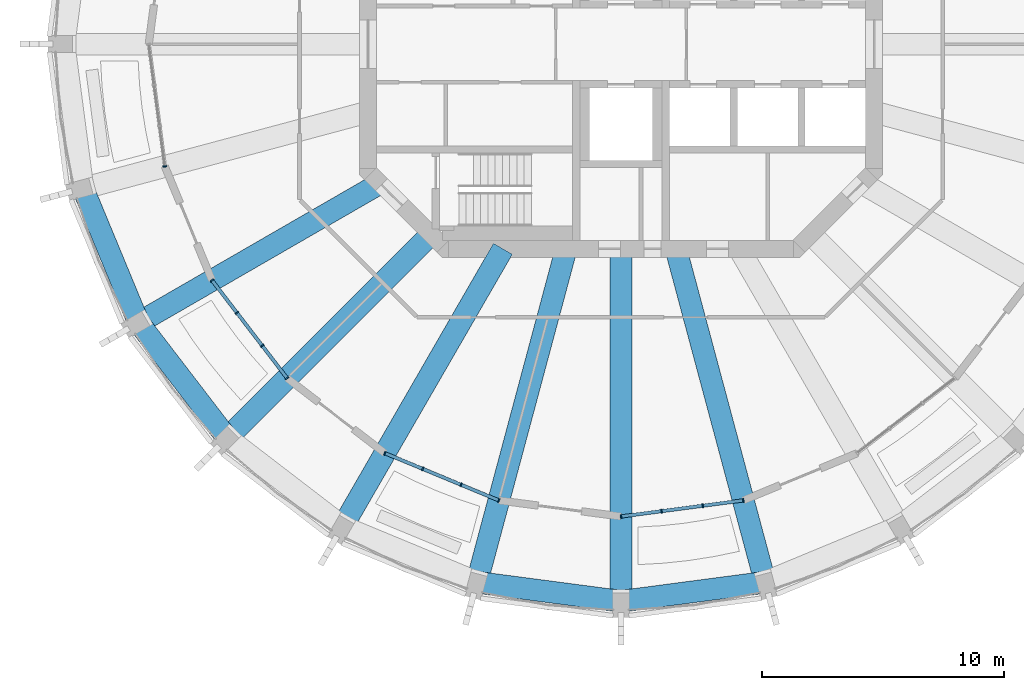
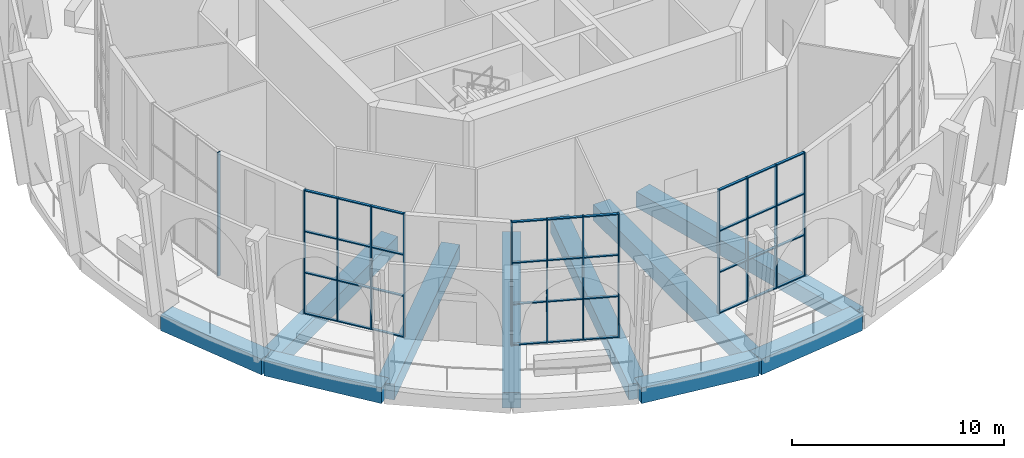
# One storey, part 2 of 16: 49 members, 10 beams, 4 elements without a shape of their own.
"""IFC4 building model written with IfcOpenShell, lengths in metres."""

from ifc_helpers import new_model, si_unit, direction, frame, origin, origin_2d, place, context, subcontext, project, spatial, rectangle, extrude, material, material_profile, profile_set, type_object, element, aggregate, save


model = new_model("IFC4")

# Units and contexts
model_context = context("Model", 3, precision=1e-05, world=origin(), true_north=direction((0.0, 1.0)))
body_context = subcontext(model_context, "Body", "Model", "MODEL_VIEW")
ifc_project = project(units=[si_unit("LENGTHUNIT", "METRE"), si_unit("AREAUNIT", "SQUARE_METRE"), si_unit("VOLUMEUNIT", "CUBIC_METRE"), si_unit("PLANEANGLEUNIT", "RADIAN"), si_unit("MASSUNIT", "GRAM", prefix="KILO")], contexts=[model_context])

# Site, building, storey
site_placement = place(None, origin())
site = spatial("IfcSite", under=ifc_project, at=site_placement, CompositionType="ELEMENT")
building_placement = place(site_placement, origin())
building = spatial("IfcBuilding", under=site, at=building_placement, Name="Torre Triforio", CompositionType="ELEMENT")
storey_placement = place(building_placement, frame((0.0, 0.0, 218.699951171875)))
storey = spatial("IfcBuildingStorey", under=building, at=storey_placement, Name="L50", CompositionType="ELEMENT", Elevation=218.699951171875)

# Curtain wall, member
ifc_material_1 = material(Name="Aluminium mullion and transom frame with clear laminated glass", Category="aluminium")
curtain_wall_type = type_object("IfcCurtainWallType", Name="Sky garden conservatory wall ECW3", PredefinedType="NOTDEFINED", material=ifc_material_1)
curtain_wall_1_placement = place(storey_placement, origin())
curtain_wall_1 = element("IfcCurtainWall", 1, at=curtain_wall_1_placement, inside=storey, type_object=curtain_wall_type, Name="Conservatory wall L50 bay 13", PredefinedType="NOTDEFINED")
ifc_material_2 = material(Name="Anodised aluminium extrusion", Category="aluminium")
ifc_material_profile_1 = material_profile(ifc_material_2, rectangle(XDim=0.159912109375, YDim=0.06005859375, at=origin_2d()), Name="ECW3 MULLION 60x160")
ifc_profile_set_1 = profile_set([ifc_material_profile_1], Name="Anodised aluminium extrusion")
member_type_1 = type_object("IfcMemberType", Name="ECW3 mullion 60 x 160", PredefinedType="MULLION", material=ifc_profile_set_1)
member_1_placement = place(storey_placement, frame((-18.83544921875, -5.046875, 0.0), z_axis=(0.0, 0.0, 1.0), x_axis=(0.991444115465, 0.130531857834, 0.0)))
member_1 = element("IfcMember", 2, at=member_1_placement, type_object=member_type_1, Name="ECW3 mullion 4", PredefinedType="MULLION", context=body_context, shape_type="SweptSolid", body=[
    extrude(rectangle(XDim=0.159912109375, YDim=0.06005859375, at=origin_2d()), origin(), (0.0, 0.0, 1.0), 7.1201171875),
])
aggregate(curtain_wall_1, [member_1])

# Curtain wall, members
curtain_wall_2_placement = place(storey_placement, origin())
curtain_wall_2 = element("IfcCurtainWall", 3, at=curtain_wall_2_placement, inside=storey, type_object=curtain_wall_type, Name="Conservatory wall L50 bay 15", PredefinedType="NOTDEFINED")
member_2_placement = place(storey_placement, frame((-16.887451171875, -9.75, 0.0), z_axis=(0.0, 0.0, 1.0), x_axis=(0.793348796067, 0.608767351111, 0.0)))
member_2 = element("IfcMember", 4, at=member_2_placement, type_object=member_type_1, Name="ECW3 mullion 1", PredefinedType="MULLION", context=body_context, shape_type="SweptSolid", body=[
    extrude(rectangle(XDim=0.159912109375, YDim=0.06005859375, at=origin_2d()), origin(), (0.0, 0.0, 1.0), 7.1201171875),
])
member_3_placement = place(storey_placement, frame((-15.860595703125, -11.08837890625, 0.0), z_axis=(0.0, 0.0, 1.0), x_axis=(0.793348796067, 0.608767351111, 0.0)))
member_3 = element("IfcMember", 5, at=member_3_placement, type_object=member_type_1, Name="ECW3 mullion 2", PredefinedType="MULLION", context=body_context, shape_type="SweptSolid", body=[
    extrude(rectangle(XDim=0.159912109375, YDim=0.06005859375, at=origin_2d()), origin(), (0.0, 0.0, 1.0), 7.1201171875),
])
member_4_placement = place(storey_placement, frame((-14.8154296875, -12.450439453125, 0.0), z_axis=(0.0, 0.0, 1.0), x_axis=(0.793348796067, 0.608767351111, 0.0)))
member_4 = element("IfcMember", 6, at=member_4_placement, type_object=member_type_1, Name="ECW3 mullion 3", PredefinedType="MULLION", context=body_context, shape_type="SweptSolid", body=[
    extrude(rectangle(XDim=0.159912109375, YDim=0.06005859375, at=origin_2d()), origin(), (0.0, 0.0, 1.0), 7.1201171875),
])
member_5_placement = place(storey_placement, frame((-13.78857421875, -13.78857421875, 0.0), z_axis=(0.0, 0.0, 1.0), x_axis=(0.793348796067, 0.608767351111, 0.0)))
member_5 = element("IfcMember", 7, at=member_5_placement, type_object=member_type_1, Name="ECW3 mullion 4", PredefinedType="MULLION", context=body_context, shape_type="SweptSolid", body=[
    extrude(rectangle(XDim=0.159912109375, YDim=0.06005859375, at=origin_2d()), origin(), (0.0, 0.0, 1.0), 7.1201171875),
])

curtain_wall_3_placement = place(storey_placement, origin())
curtain_wall_3 = element("IfcCurtainWall", 8, at=curtain_wall_3_placement, inside=storey, type_object=curtain_wall_type, Name="Conservatory wall L50 bay 17", PredefinedType="NOTDEFINED")
member_6_placement = place(storey_placement, frame((-9.75, -16.887451171875, 0.0), z_axis=(0.0, 0.0, 1.0), x_axis=(0.382684457334, 0.923879107955, 0.0)))
member_6 = element("IfcMember", 9, at=member_6_placement, type_object=member_type_1, Name="ECW3 mullion 1", PredefinedType="MULLION", context=body_context, shape_type="SweptSolid", body=[
    extrude(rectangle(XDim=0.159912109375, YDim=0.06005859375, at=origin_2d()), origin(), (0.0, 0.0, 1.0), 7.1201171875),
])
member_7_placement = place(storey_placement, frame((-8.191650390625, -17.532958984375, 0.0), z_axis=(0.0, 0.0, 1.0), x_axis=(0.382684457334, 0.923879107955, 0.0)))
member_7 = element("IfcMember", 10, at=member_7_placement, type_object=member_type_1, Name="ECW3 mullion 2", PredefinedType="MULLION", context=body_context, shape_type="SweptSolid", body=[
    extrude(rectangle(XDim=0.159912109375, YDim=0.06005859375, at=origin_2d()), origin(), (0.0, 0.0, 1.0), 7.1201171875),
])
member_8_placement = place(storey_placement, frame((-6.60546875, -18.18994140625, 0.0), z_axis=(0.0, 0.0, 1.0), x_axis=(0.382684457334, 0.923879107955, 0.0)))
member_8 = element("IfcMember", 11, at=member_8_placement, type_object=member_type_1, Name="ECW3 mullion 3", PredefinedType="MULLION", context=body_context, shape_type="SweptSolid", body=[
    extrude(rectangle(XDim=0.159912109375, YDim=0.06005859375, at=origin_2d()), origin(), (0.0, 0.0, 1.0), 7.1201171875),
])
member_9_placement = place(storey_placement, frame((-5.047119140625, -18.83544921875, 0.0), z_axis=(0.0, 0.0, 1.0), x_axis=(0.382684457334, 0.923879107955, 0.0)))
member_9 = element("IfcMember", 12, at=member_9_placement, type_object=member_type_1, Name="ECW3 mullion 4", PredefinedType="MULLION", context=body_context, shape_type="SweptSolid", body=[
    extrude(rectangle(XDim=0.159912109375, YDim=0.06005859375, at=origin_2d()), origin(), (0.0, 0.0, 1.0), 7.1201171875),
])

curtain_wall_4_placement = place(storey_placement, origin())
curtain_wall_4 = element("IfcCurtainWall", 13, at=curtain_wall_4_placement, inside=storey, type_object=curtain_wall_type, Name="Conservatory wall L50 bay 19", PredefinedType="NOTDEFINED")
member_10_placement = place(storey_placement, frame((0.0, -19.5, 0.0), z_axis=(0.0, 0.0, 1.0), x_axis=(-0.130531857834, 0.991444115465, 0.0)))
member_10 = element("IfcMember", 14, at=member_10_placement, type_object=member_type_1, Name="ECW3 mullion 1", PredefinedType="MULLION", context=body_context, shape_type="SweptSolid", body=[
    extrude(rectangle(XDim=0.159912109375, YDim=0.06005859375, at=origin_2d()), origin(), (0.0, 0.0, 1.0), 7.1201171875),
])
member_11_placement = place(storey_placement, frame((1.67236328125, -19.27978515625, 0.0), z_axis=(0.0, 0.0, 1.0), x_axis=(-0.130531857834, 0.991444115465, 0.0)))
member_11 = element("IfcMember", 15, at=member_11_placement, type_object=member_type_1, Name="ECW3 mullion 2", PredefinedType="MULLION", context=body_context, shape_type="SweptSolid", body=[
    extrude(rectangle(XDim=0.159912109375, YDim=0.06005859375, at=origin_2d()), origin(), (0.0, 0.0, 1.0), 7.1201171875),
])
member_12_placement = place(storey_placement, frame((3.37451171875, -19.0556640625, 0.0), z_axis=(0.0, 0.0, 1.0), x_axis=(-0.130531857834, 0.991444115465, 0.0)))
member_12 = element("IfcMember", 16, at=member_12_placement, type_object=member_type_1, Name="ECW3 mullion 3", PredefinedType="MULLION", context=body_context, shape_type="SweptSolid", body=[
    extrude(rectangle(XDim=0.159912109375, YDim=0.06005859375, at=origin_2d()), origin(), (0.0, 0.0, 1.0), 7.1201171875),
])
member_13_placement = place(storey_placement, frame((5.046875, -18.83544921875, 0.0), z_axis=(0.0, 0.0, 1.0), x_axis=(-0.130531857834, 0.991444115465, 0.0)))
member_13 = element("IfcMember", 17, at=member_13_placement, type_object=member_type_1, Name="ECW3 mullion 4", PredefinedType="MULLION", context=body_context, shape_type="SweptSolid", body=[
    extrude(rectangle(XDim=0.159912109375, YDim=0.06005859375, at=origin_2d()), origin(), (0.0, 0.0, 1.0), 7.1201171875),
])

# Member
ifc_material_profile_2 = material_profile(ifc_material_2, rectangle(XDim=0.139892578125, YDim=0.06005859375, at=origin_2d()), Name="ECW3 TRANSOM 60x140")
ifc_profile_set_2 = profile_set([ifc_material_profile_2], Name="Anodised aluminium extrusion")
member_type_2 = type_object("IfcMemberType", Name="ECW3 transom 60 x 140", PredefinedType="USERDEFINED", material=ifc_profile_set_2)
member_14_placement = place(storey_placement, frame((-16.869384765625, -9.773681640625, 0.030029296875), z_axis=(0.608774860562, -0.793343033717, 0.0), x_axis=(0.793343033717, 0.608774860562, 0.0)))
member_14 = element("IfcMember", 18, at=member_14_placement, type_object=member_type_2, Name="ECW3 transom 1.1", ObjectType="TRANSOM", PredefinedType="USERDEFINED", context=body_context, shape_type="SweptSolid", body=[
    extrude(rectangle(XDim=0.139892578125, YDim=0.06005859375, at=origin_2d()), origin(), (0.0, 0.0, 1.0), 1.626953125),
])

member_15_placement = place(storey_placement, frame((-16.869384765625, -9.773681640625, 2.373291015625), z_axis=(0.608774860562, -0.793343033717, 0.0), x_axis=(0.793343033717, 0.608774860562, 0.0)))
member_15 = element("IfcMember", 19, at=member_15_placement, type_object=member_type_2, Name="ECW3 transom 1.2", ObjectType="TRANSOM", PredefinedType="USERDEFINED", context=body_context, shape_type="SweptSolid", body=[
    extrude(rectangle(XDim=0.139892578125, YDim=0.06005859375, at=origin_2d()), origin(), (0.0, 0.0, 1.0), 1.626953125),
])

member_16_placement = place(storey_placement, frame((-16.869384765625, -9.773681640625, 4.746826171875), z_axis=(0.608774860562, -0.793343033717, 0.0), x_axis=(0.793343033717, 0.608774860562, 0.0)))
member_16 = element("IfcMember", 20, at=member_16_placement, type_object=member_type_2, Name="ECW3 transom 1.3", ObjectType="TRANSOM", PredefinedType="USERDEFINED", context=body_context, shape_type="SweptSolid", body=[
    extrude(rectangle(XDim=0.139892578125, YDim=0.06005859375, at=origin_2d()), origin(), (0.0, 0.0, 1.0), 1.626953125),
])

member_17_placement = place(storey_placement, frame((-16.869384765625, -9.773681640625, 7.090087890625), z_axis=(0.608774860562, -0.793343033717, 0.0), x_axis=(0.793343033717, 0.608774860562, 0.0)))
member_17 = element("IfcMember", 21, at=member_17_placement, type_object=member_type_2, Name="ECW3 transom 1.4", ObjectType="TRANSOM", PredefinedType="USERDEFINED", context=body_context, shape_type="SweptSolid", body=[
    extrude(rectangle(XDim=0.139892578125, YDim=0.06005859375, at=origin_2d()), origin(), (0.0, 0.0, 1.0), 1.626953125),
])

member_18_placement = place(storey_placement, frame((-15.84228515625, -11.112060546875, 0.030029296875), z_axis=(0.608734670462, -0.793373872129, 0.0), x_axis=(0.793373872129, 0.608734670462, 0.0)))
member_18 = element("IfcMember", 22, at=member_18_placement, type_object=member_type_2, Name="ECW3 transom 2.1", ObjectType="TRANSOM", PredefinedType="USERDEFINED", context=body_context, shape_type="SweptSolid", body=[
    extrude(rectangle(XDim=0.139892578125, YDim=0.06005859375, at=origin_2d()), origin(), (0.0, 0.0, 1.0), 1.65673828125),
])

member_19_placement = place(storey_placement, frame((-15.84228515625, -11.112060546875, 2.373291015625), z_axis=(0.608734670462, -0.793373872129, 0.0), x_axis=(0.793373872129, 0.608734670462, 0.0)))
member_19 = element("IfcMember", 23, at=member_19_placement, type_object=member_type_2, Name="ECW3 transom 2.2", ObjectType="TRANSOM", PredefinedType="USERDEFINED", context=body_context, shape_type="SweptSolid", body=[
    extrude(rectangle(XDim=0.139892578125, YDim=0.06005859375, at=origin_2d()), origin(), (0.0, 0.0, 1.0), 1.65673828125),
])

member_20_placement = place(storey_placement, frame((-15.84228515625, -11.112060546875, 4.746826171875), z_axis=(0.608734670462, -0.793373872129, 0.0), x_axis=(0.793373872129, 0.608734670462, 0.0)))
member_20 = element("IfcMember", 24, at=member_20_placement, type_object=member_type_2, Name="ECW3 transom 2.3", ObjectType="TRANSOM", PredefinedType="USERDEFINED", context=body_context, shape_type="SweptSolid", body=[
    extrude(rectangle(XDim=0.139892578125, YDim=0.06005859375, at=origin_2d()), origin(), (0.0, 0.0, 1.0), 1.65673828125),
])

member_21_placement = place(storey_placement, frame((-15.84228515625, -11.112060546875, 7.090087890625), z_axis=(0.608734670462, -0.793373872129, 0.0), x_axis=(0.793373872129, 0.608734670462, 0.0)))
member_21 = element("IfcMember", 25, at=member_21_placement, type_object=member_type_2, Name="ECW3 transom 2.4", ObjectType="TRANSOM", PredefinedType="USERDEFINED", context=body_context, shape_type="SweptSolid", body=[
    extrude(rectangle(XDim=0.139892578125, YDim=0.06005859375, at=origin_2d()), origin(), (0.0, 0.0, 1.0), 1.65673828125),
])

member_22_placement = place(storey_placement, frame((-14.797119140625, -12.47412109375, 0.030029296875), z_axis=(0.60868040376, -0.793415506578, 0.0), x_axis=(0.793415506578, 0.60868040376, 0.0)))
member_22 = element("IfcMember", 26, at=member_22_placement, type_object=member_type_2, Name="ECW3 transom 3.1", ObjectType="TRANSOM", PredefinedType="USERDEFINED", context=body_context, shape_type="SweptSolid", body=[
    extrude(rectangle(XDim=0.139892578125, YDim=0.06005859375, at=origin_2d()), origin(), (0.0, 0.0, 1.0), 1.626953125),
])

member_23_placement = place(storey_placement, frame((-14.797119140625, -12.47412109375, 2.373291015625), z_axis=(0.60868040376, -0.793415506578, 0.0), x_axis=(0.793415506578, 0.60868040376, 0.0)))
member_23 = element("IfcMember", 27, at=member_23_placement, type_object=member_type_2, Name="ECW3 transom 3.2", ObjectType="TRANSOM", PredefinedType="USERDEFINED", context=body_context, shape_type="SweptSolid", body=[
    extrude(rectangle(XDim=0.139892578125, YDim=0.06005859375, at=origin_2d()), origin(), (0.0, 0.0, 1.0), 1.626953125),
])

member_24_placement = place(storey_placement, frame((-14.797119140625, -12.47412109375, 4.746826171875), z_axis=(0.60868040376, -0.793415506578, 0.0), x_axis=(0.793415506578, 0.60868040376, 0.0)))
member_24 = element("IfcMember", 28, at=member_24_placement, type_object=member_type_2, Name="ECW3 transom 3.3", ObjectType="TRANSOM", PredefinedType="USERDEFINED", context=body_context, shape_type="SweptSolid", body=[
    extrude(rectangle(XDim=0.139892578125, YDim=0.06005859375, at=origin_2d()), origin(), (0.0, 0.0, 1.0), 1.626953125),
])

member_25_placement = place(storey_placement, frame((-14.797119140625, -12.47412109375, 7.090087890625), z_axis=(0.60868040376, -0.793415506578, 0.0), x_axis=(0.793415506578, 0.60868040376, 0.0)))
member_25 = element("IfcMember", 29, at=member_25_placement, type_object=member_type_2, Name="ECW3 transom 3.4", ObjectType="TRANSOM", PredefinedType="USERDEFINED", context=body_context, shape_type="SweptSolid", body=[
    extrude(rectangle(XDim=0.139892578125, YDim=0.06005859375, at=origin_2d()), origin(), (0.0, 0.0, 1.0), 1.626953125),
])

aggregate(curtain_wall_2, [member_2, member_3, member_4, member_5, member_14, member_15, member_16, member_17, member_18, member_19, member_20, member_21, member_22, member_23, member_24, member_25])

member_26_placement = place(storey_placement, frame((-9.72216796875, -16.89892578125, 0.030029296875), z_axis=(0.923874156886, -0.382696410016, 0.0), x_axis=(0.382696410016, 0.923874156886, 0.0)))
member_26 = element("IfcMember", 30, at=member_26_placement, type_object=member_type_2, Name="ECW3 transom 1.1", ObjectType="TRANSOM", PredefinedType="USERDEFINED", context=body_context, shape_type="SweptSolid", body=[
    extrude(rectangle(XDim=0.139892578125, YDim=0.06005859375, at=origin_2d()), origin(), (0.0, 0.0, 1.0), 1.626708984375),
])

member_27_placement = place(storey_placement, frame((-9.72216796875, -16.89892578125, 2.373291015625), z_axis=(0.923874156886, -0.382696410016, 0.0), x_axis=(0.382696410016, 0.923874156886, 0.0)))
member_27 = element("IfcMember", 31, at=member_27_placement, type_object=member_type_2, Name="ECW3 transom 1.2", ObjectType="TRANSOM", PredefinedType="USERDEFINED", context=body_context, shape_type="SweptSolid", body=[
    extrude(rectangle(XDim=0.139892578125, YDim=0.06005859375, at=origin_2d()), origin(), (0.0, 0.0, 1.0), 1.626708984375),
])

member_28_placement = place(storey_placement, frame((-9.72216796875, -16.89892578125, 4.746826171875), z_axis=(0.923874156886, -0.382696410016, 0.0), x_axis=(0.382696410016, 0.923874156886, 0.0)))
member_28 = element("IfcMember", 32, at=member_28_placement, type_object=member_type_2, Name="ECW3 transom 1.3", ObjectType="TRANSOM", PredefinedType="USERDEFINED", context=body_context, shape_type="SweptSolid", body=[
    extrude(rectangle(XDim=0.139892578125, YDim=0.06005859375, at=origin_2d()), origin(), (0.0, 0.0, 1.0), 1.626708984375),
])

member_29_placement = place(storey_placement, frame((-9.72216796875, -16.89892578125, 7.090087890625), z_axis=(0.923874156886, -0.382696410016, 0.0), x_axis=(0.382696410016, 0.923874156886, 0.0)))
member_29 = element("IfcMember", 33, at=member_29_placement, type_object=member_type_2, Name="ECW3 transom 1.4", ObjectType="TRANSOM", PredefinedType="USERDEFINED", context=body_context, shape_type="SweptSolid", body=[
    extrude(rectangle(XDim=0.139892578125, YDim=0.06005859375, at=origin_2d()), origin(), (0.0, 0.0, 1.0), 1.626708984375),
])

member_30_placement = place(storey_placement, frame((-8.163818359375, -17.54443359375, 0.030029296875), z_axis=(0.923885733713, -0.382668460997, 0.0), x_axis=(0.382668460997, 0.923885733713, 0.0)))
member_30 = element("IfcMember", 34, at=member_30_placement, type_object=member_type_2, Name="ECW3 transom 2.1", ObjectType="TRANSOM", PredefinedType="USERDEFINED", context=body_context, shape_type="SweptSolid", body=[
    extrude(rectangle(XDim=0.139892578125, YDim=0.06005859375, at=origin_2d()), origin(), (0.0, 0.0, 1.0), 1.656982421875),
])

member_31_placement = place(storey_placement, frame((-8.163818359375, -17.54443359375, 2.373291015625), z_axis=(0.923885733713, -0.382668460997, 0.0), x_axis=(0.382668460997, 0.923885733713, 0.0)))
member_31 = element("IfcMember", 35, at=member_31_placement, type_object=member_type_2, Name="ECW3 transom 2.2", ObjectType="TRANSOM", PredefinedType="USERDEFINED", context=body_context, shape_type="SweptSolid", body=[
    extrude(rectangle(XDim=0.139892578125, YDim=0.06005859375, at=origin_2d()), origin(), (0.0, 0.0, 1.0), 1.656982421875),
])

member_32_placement = place(storey_placement, frame((-8.163818359375, -17.54443359375, 4.746826171875), z_axis=(0.923885733713, -0.382668460997, 0.0), x_axis=(0.382668460997, 0.923885733713, 0.0)))
member_32 = element("IfcMember", 36, at=member_32_placement, type_object=member_type_2, Name="ECW3 transom 2.3", ObjectType="TRANSOM", PredefinedType="USERDEFINED", context=body_context, shape_type="SweptSolid", body=[
    extrude(rectangle(XDim=0.139892578125, YDim=0.06005859375, at=origin_2d()), origin(), (0.0, 0.0, 1.0), 1.656982421875),
])

member_33_placement = place(storey_placement, frame((-8.163818359375, -17.54443359375, 7.090087890625), z_axis=(0.923885733713, -0.382668460997, 0.0), x_axis=(0.382668460997, 0.923885733713, 0.0)))
member_33 = element("IfcMember", 37, at=member_33_placement, type_object=member_type_2, Name="ECW3 transom 2.4", ObjectType="TRANSOM", PredefinedType="USERDEFINED", context=body_context, shape_type="SweptSolid", body=[
    extrude(rectangle(XDim=0.139892578125, YDim=0.06005859375, at=origin_2d()), origin(), (0.0, 0.0, 1.0), 1.656982421875),
])

member_34_placement = place(storey_placement, frame((-6.57763671875, -18.201416015625, 0.030029296875), z_axis=(0.923874156886, -0.382696410016, 0.0), x_axis=(0.382696410016, 0.923874156886, 0.0)))
member_34 = element("IfcMember", 38, at=member_34_placement, type_object=member_type_2, Name="ECW3 transom 3.1", ObjectType="TRANSOM", PredefinedType="USERDEFINED", context=body_context, shape_type="SweptSolid", body=[
    extrude(rectangle(XDim=0.139892578125, YDim=0.06005859375, at=origin_2d()), origin(), (0.0, 0.0, 1.0), 1.626708984375),
])

member_35_placement = place(storey_placement, frame((-6.57763671875, -18.201416015625, 2.373291015625), z_axis=(0.923874156886, -0.382696410016, 0.0), x_axis=(0.382696410016, 0.923874156886, 0.0)))
member_35 = element("IfcMember", 39, at=member_35_placement, type_object=member_type_2, Name="ECW3 transom 3.2", ObjectType="TRANSOM", PredefinedType="USERDEFINED", context=body_context, shape_type="SweptSolid", body=[
    extrude(rectangle(XDim=0.139892578125, YDim=0.06005859375, at=origin_2d()), origin(), (0.0, 0.0, 1.0), 1.626708984375),
])

member_36_placement = place(storey_placement, frame((-6.57763671875, -18.201416015625, 4.746826171875), z_axis=(0.923874156886, -0.382696410016, 0.0), x_axis=(0.382696410016, 0.923874156886, 0.0)))
member_36 = element("IfcMember", 40, at=member_36_placement, type_object=member_type_2, Name="ECW3 transom 3.3", ObjectType="TRANSOM", PredefinedType="USERDEFINED", context=body_context, shape_type="SweptSolid", body=[
    extrude(rectangle(XDim=0.139892578125, YDim=0.06005859375, at=origin_2d()), origin(), (0.0, 0.0, 1.0), 1.626708984375),
])

member_37_placement = place(storey_placement, frame((-6.57763671875, -18.201416015625, 7.090087890625), z_axis=(0.923874156886, -0.382696410016, 0.0), x_axis=(0.382696410016, 0.923874156886, 0.0)))
member_37 = element("IfcMember", 41, at=member_37_placement, type_object=member_type_2, Name="ECW3 transom 3.4", ObjectType="TRANSOM", PredefinedType="USERDEFINED", context=body_context, shape_type="SweptSolid", body=[
    extrude(rectangle(XDim=0.139892578125, YDim=0.06005859375, at=origin_2d()), origin(), (0.0, 0.0, 1.0), 1.626708984375),
])

aggregate(curtain_wall_3, [member_6, member_7, member_8, member_9, member_26, member_27, member_28, member_29, member_30, member_31, member_32, member_33, member_34, member_35, member_36, member_37])

member_38_placement = place(storey_placement, frame((0.02978515625, -19.49609375, 0.030029296875), z_axis=(0.991438963829, 0.130570980704, 0.0), x_axis=(-0.130570980704, 0.991438963829, 0.0)))
member_38 = element("IfcMember", 42, at=member_38_placement, type_object=member_type_2, Name="ECW3 transom 1.1", ObjectType="TRANSOM", PredefinedType="USERDEFINED", context=body_context, shape_type="SweptSolid", body=[
    extrude(rectangle(XDim=0.139892578125, YDim=0.06005859375, at=origin_2d()), origin(), (0.0, 0.0, 1.0), 1.626708984375),
])

member_39_placement = place(storey_placement, frame((0.02978515625, -19.49609375, 2.373291015625), z_axis=(0.991438963829, 0.130570980704, 0.0), x_axis=(-0.130570980704, 0.991438963829, 0.0)))
member_39 = element("IfcMember", 43, at=member_39_placement, type_object=member_type_2, Name="ECW3 transom 1.2", ObjectType="TRANSOM", PredefinedType="USERDEFINED", context=body_context, shape_type="SweptSolid", body=[
    extrude(rectangle(XDim=0.139892578125, YDim=0.06005859375, at=origin_2d()), origin(), (0.0, 0.0, 1.0), 1.626708984375),
])

member_40_placement = place(storey_placement, frame((0.02978515625, -19.49609375, 4.746826171875), z_axis=(0.991438963829, 0.130570980704, 0.0), x_axis=(-0.130570980704, 0.991438963829, 0.0)))
member_40 = element("IfcMember", 44, at=member_40_placement, type_object=member_type_2, Name="ECW3 transom 1.3", ObjectType="TRANSOM", PredefinedType="USERDEFINED", context=body_context, shape_type="SweptSolid", body=[
    extrude(rectangle(XDim=0.139892578125, YDim=0.06005859375, at=origin_2d()), origin(), (0.0, 0.0, 1.0), 1.626708984375),
])

member_41_placement = place(storey_placement, frame((0.02978515625, -19.49609375, 7.090087890625), z_axis=(0.991438963829, 0.130570980704, 0.0), x_axis=(-0.130570980704, 0.991438963829, 0.0)))
member_41 = element("IfcMember", 45, at=member_41_placement, type_object=member_type_2, Name="ECW3 transom 1.4", ObjectType="TRANSOM", PredefinedType="USERDEFINED", context=body_context, shape_type="SweptSolid", body=[
    extrude(rectangle(XDim=0.139892578125, YDim=0.06005859375, at=origin_2d()), origin(), (0.0, 0.0, 1.0), 1.626708984375),
])

member_42_placement = place(storey_placement, frame((1.7021484375, -19.27587890625, 0.030029296875), z_axis=(0.991440245927, 0.130561245228, 0.0), x_axis=(-0.130561245228, 0.991440245927, 0.0)))
member_42 = element("IfcMember", 46, at=member_42_placement, type_object=member_type_2, Name="ECW3 transom 2.1", ObjectType="TRANSOM", PredefinedType="USERDEFINED", context=body_context, shape_type="SweptSolid", body=[
    extrude(rectangle(XDim=0.139892578125, YDim=0.06005859375, at=origin_2d()), origin(), (0.0, 0.0, 1.0), 1.65673828125),
])

member_43_placement = place(storey_placement, frame((1.7021484375, -19.27587890625, 2.373291015625), z_axis=(0.991440245927, 0.130561245228, 0.0), x_axis=(-0.130561245228, 0.991440245927, 0.0)))
member_43 = element("IfcMember", 47, at=member_43_placement, type_object=member_type_2, Name="ECW3 transom 2.2", ObjectType="TRANSOM", PredefinedType="USERDEFINED", context=body_context, shape_type="SweptSolid", body=[
    extrude(rectangle(XDim=0.139892578125, YDim=0.06005859375, at=origin_2d()), origin(), (0.0, 0.0, 1.0), 1.65673828125),
])

member_44_placement = place(storey_placement, frame((1.7021484375, -19.27587890625, 4.746826171875), z_axis=(0.991440245927, 0.130561245228, 0.0), x_axis=(-0.130561245228, 0.991440245927, 0.0)))
member_44 = element("IfcMember", 48, at=member_44_placement, type_object=member_type_2, Name="ECW3 transom 2.3", ObjectType="TRANSOM", PredefinedType="USERDEFINED", context=body_context, shape_type="SweptSolid", body=[
    extrude(rectangle(XDim=0.139892578125, YDim=0.06005859375, at=origin_2d()), origin(), (0.0, 0.0, 1.0), 1.65673828125),
])

member_45_placement = place(storey_placement, frame((1.7021484375, -19.27587890625, 7.090087890625), z_axis=(0.991440245927, 0.130561245228, 0.0), x_axis=(-0.130561245228, 0.991440245927, 0.0)))
member_45 = element("IfcMember", 49, at=member_45_placement, type_object=member_type_2, Name="ECW3 transom 2.4", ObjectType="TRANSOM", PredefinedType="USERDEFINED", context=body_context, shape_type="SweptSolid", body=[
    extrude(rectangle(XDim=0.139892578125, YDim=0.06005859375, at=origin_2d()), origin(), (0.0, 0.0, 1.0), 1.65673828125),
])

member_46_placement = place(storey_placement, frame((3.404296875, -19.0517578125, 0.030029296875), z_axis=(0.991441521966, 0.130551555034, 0.0), x_axis=(-0.130551555034, 0.991441521966, 0.0)))
member_46 = element("IfcMember", 50, at=member_46_placement, type_object=member_type_2, Name="ECW3 transom 3.1", ObjectType="TRANSOM", PredefinedType="USERDEFINED", context=body_context, shape_type="SweptSolid", body=[
    extrude(rectangle(XDim=0.139892578125, YDim=0.06005859375, at=origin_2d()), origin(), (0.0, 0.0, 1.0), 1.626953125),
])

member_47_placement = place(storey_placement, frame((3.404296875, -19.0517578125, 2.373291015625), z_axis=(0.991441521966, 0.130551555034, 0.0), x_axis=(-0.130551555034, 0.991441521966, 0.0)))
member_47 = element("IfcMember", 51, at=member_47_placement, type_object=member_type_2, Name="ECW3 transom 3.2", ObjectType="TRANSOM", PredefinedType="USERDEFINED", context=body_context, shape_type="SweptSolid", body=[
    extrude(rectangle(XDim=0.139892578125, YDim=0.06005859375, at=origin_2d()), origin(), (0.0, 0.0, 1.0), 1.626953125),
])

member_48_placement = place(storey_placement, frame((3.404296875, -19.0517578125, 4.746826171875), z_axis=(0.991441521966, 0.130551555034, 0.0), x_axis=(-0.130551555034, 0.991441521966, 0.0)))
member_48 = element("IfcMember", 52, at=member_48_placement, type_object=member_type_2, Name="ECW3 transom 3.3", ObjectType="TRANSOM", PredefinedType="USERDEFINED", context=body_context, shape_type="SweptSolid", body=[
    extrude(rectangle(XDim=0.139892578125, YDim=0.06005859375, at=origin_2d()), origin(), (0.0, 0.0, 1.0), 1.626953125),
])

member_49_placement = place(storey_placement, frame((3.404296875, -19.0517578125, 7.090087890625), z_axis=(0.991441521966, 0.130551555034, 0.0), x_axis=(-0.130551555034, 0.991441521966, 0.0)))
member_49 = element("IfcMember", 53, at=member_49_placement, type_object=member_type_2, Name="ECW3 transom 3.4", ObjectType="TRANSOM", PredefinedType="USERDEFINED", context=body_context, shape_type="SweptSolid", body=[
    extrude(rectangle(XDim=0.139892578125, YDim=0.06005859375, at=origin_2d()), origin(), (0.0, 0.0, 1.0), 1.626953125),
])

aggregate(curtain_wall_4, [member_10, member_11, member_12, member_13, member_38, member_39, member_40, member_41, member_42, member_43, member_44, member_45, member_46, member_47, member_48, member_49])

# Beams
ifc_material_3 = material(Name="Concrete C40", Category="concrete")
ifc_material_profile_3 = material_profile(ifc_material_3, rectangle(XDim=0.89990234375, YDim=0.89990234375, at=origin_2d()), Name="RC 900x900")
ifc_profile_set_3 = profile_set([ifc_material_profile_3], Name="Concrete C40")
beam_type_1 = type_object("IfcBeamType", Name="Radial beam RC 900x900 C40", PredefinedType="BEAM", material=ifc_profile_set_3)
beam_1_placement = place(storey_placement, frame((-9.9501953125, -5.744873046875, -0.72998046875), z_axis=(-0.866032648629, -0.499987451351, 0.0), x_axis=(0.499987451351, -0.866032648629, 0.0)))
element("IfcBeam", 54, at=beam_1_placement, inside=storey, type_object=beam_type_1, Name="BM.R.L50.14", PredefinedType="BEAM", context=body_context, shape_type="SweptSolid", body=[
    extrude(rectangle(XDim=0.89990234375, YDim=0.89990234375, at=origin_2d()), origin(), (0.0, 0.0, 1.0), 11.510498046875),
])
beam_2_placement = place(storey_placement, frame((-7.847412109375, -7.847412109375, -0.72998046875), z_axis=(-0.707106781187, -0.707106781187, 0.0), x_axis=(0.707106781187, -0.707106781187, 0.0)))
element("IfcBeam", 55, at=beam_2_placement, inside=storey, type_object=beam_type_1, Name="BM.R.L50.15", PredefinedType="BEAM", context=body_context, shape_type="SweptSolid", body=[
    extrude(rectangle(XDim=0.89990234375, YDim=0.89990234375, at=origin_2d()), origin(), (0.0, 0.0, 1.0), 11.902099609375),
])
beam_3_placement = place(storey_placement, frame((-4.878662109375, -8.449951171875, -0.72998046875), z_axis=(-0.499991617607, -0.866030243307, 0.0), x_axis=(0.866030243307, -0.499991617607, 0.0)))
element("IfcBeam", 56, at=beam_3_placement, inside=storey, type_object=beam_type_1, Name="BM.R.L50.16", PredefinedType="BEAM", context=body_context, shape_type="SweptSolid", body=[
    extrude(rectangle(XDim=0.89990234375, YDim=0.89990234375, at=origin_2d()), origin(), (0.0, 0.0, 1.0), 13.242919921875),
])
beam_4_placement = place(storey_placement, frame((-2.26416015625, -8.449951171875, -0.72998046875), z_axis=(-0.258821424719, -0.96592518867, 0.0), x_axis=(0.96592518867, -0.258821424719, 0.0)))
element("IfcBeam", 57, at=beam_4_placement, inside=storey, type_object=beam_type_1, Name="BM.R.L50.17", PredefinedType="BEAM", context=body_context, shape_type="SweptSolid", body=[
    extrude(rectangle(XDim=0.89990234375, YDim=0.89990234375, at=origin_2d()), origin(), (0.0, 0.0, 1.0), 14.251953125),
])
beam_5_placement = place(storey_placement, frame((0.0, -8.449951171875, -0.72998046875), z_axis=(0.0, -1.0, 0.0), x_axis=(1.0, 0.0, 0.0)))
element("IfcBeam", 58, at=beam_5_placement, inside=storey, type_object=beam_type_1, Name="BM.R.L50.18", PredefinedType="BEAM", context=body_context, shape_type="SweptSolid", body=[
    extrude(rectangle(XDim=0.89990234375, YDim=0.89990234375, at=origin_2d()), origin(), (0.0, 0.0, 1.0), 14.550048828125),
])
beam_6_placement = place(storey_placement, frame((2.26416015625, -8.449951171875, -0.72998046875), z_axis=(0.258821424719, -0.96592518867, 0.0), x_axis=(0.96592518867, 0.258821424719, 0.0)))
element("IfcBeam", 59, at=beam_6_placement, inside=storey, type_object=beam_type_1, Name="BM.R.L50.19", PredefinedType="BEAM", context=body_context, shape_type="SweptSolid", body=[
    extrude(rectangle(XDim=0.89990234375, YDim=0.89990234375, at=origin_2d()), origin(), (0.0, 0.0, 1.0), 14.251953125),
])
ifc_material_profile_4 = material_profile(ifc_material_3, rectangle(XDim=0.89990234375, YDim=0.89990234375, at=origin_2d()), Name="RC 900x900")
ifc_profile_set_4 = profile_set([ifc_material_profile_4], Name="Concrete C40")
beam_type_2 = type_object("IfcBeamType", Name="Spandrel beam RC 900x900 C40", PredefinedType="SPANDREL", material=ifc_profile_set_4)
for number, where, z_axis, x_axis, name in (
    (60, (-22.21630859375, -5.952880859375, -0.72998046875), (0.382671411433, -0.923884511653, 0.0), (0.923884511653, 0.382671411433, 0.0), "BM.S.L50.13"),
    (61, (-19.918701171875, -11.5, -0.72998046875), (0.608778912074, -0.793339924758, 0.0), (0.793339924758, 0.608778912074, 0.0), "BM.S.L50.14"),
    (62, (-5.952880859375, -22.21630859375, -0.72998046875), (0.991445297315, -0.130522880875, 0.0), (0.130522880875, 0.991445297315, 0.0), "BM.S.L50.17"),
    (63, (0.0, -23.0, -0.72998046875), (0.991445297315, 0.130522880875, 0.0), (-0.130522880875, 0.991445297315, 0.0), "BM.S.L50.18"),
):
    element("IfcBeam", number, at=place(storey_placement, frame(where, z_axis=z_axis, x_axis=x_axis)), inside=storey, type_object=beam_type_2, Name=name, PredefinedType="SPANDREL", context=body_context, shape_type="SweptSolid", body=[
        extrude(rectangle(XDim=0.89990234375, YDim=0.89990234375, at=origin_2d()), origin(), (0.0, 0.0, 1.0), 6.004150390625),
    ])

save(model, "model.ifc")
